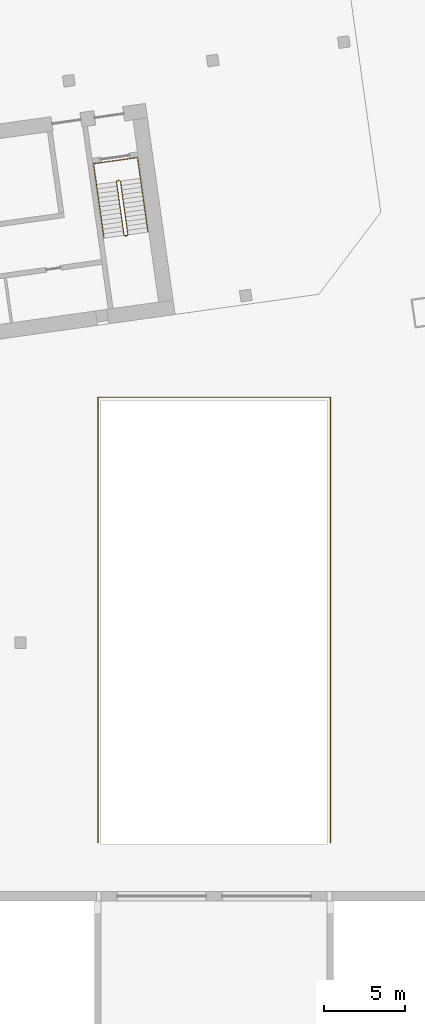
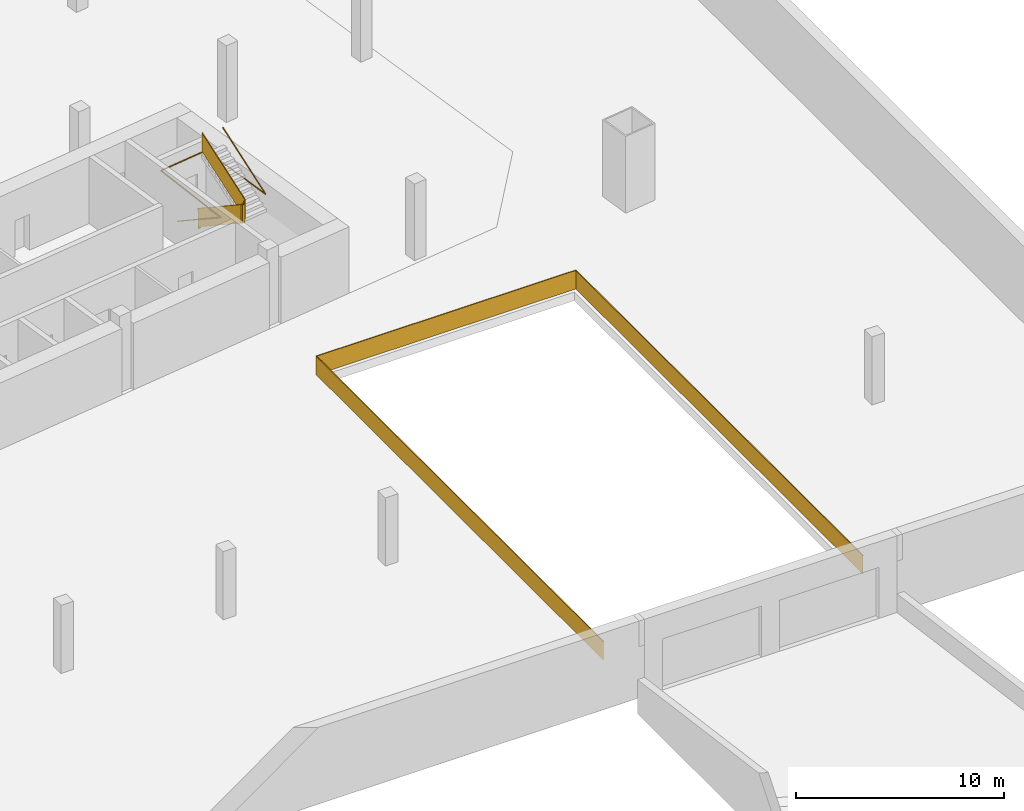
# One storey, part 17 of 17: 3 railings.
"""IFC4 building model written with IfcOpenShell, lengths in metres."""

from ifc_helpers import new_model, si_unit, direction, frame, origin, origin_2d, place, context, subcontext, project, spatial, rectangle, extrude, material, type_object, element, save


model = new_model("IFC4")

# Units and contexts
model_context = context("Model", 3, precision=1e-05, world=origin(), true_north=direction((0.0, 1.0)))
body_context = subcontext(model_context, "Body", "Model", "MODEL_VIEW")
ifc_project = project(units=[si_unit("LENGTHUNIT", "METRE"), si_unit("AREAUNIT", "SQUARE_METRE"), si_unit("VOLUMEUNIT", "CUBIC_METRE"), si_unit("PLANEANGLEUNIT", "RADIAN"), si_unit("MASSUNIT", "GRAM", prefix="KILO")], contexts=[model_context])

# Site, building, storey
site_placement = place(None, origin())
site = spatial("IfcSite", under=ifc_project, at=site_placement, CompositionType="ELEMENT")
building_placement = place(site_placement, origin())
building = spatial("IfcBuilding", under=site, at=building_placement, Name="Mirante Cascada Hotel Towers", CompositionType="ELEMENT")
storey_placement = place(building_placement, frame((0.0, 0.0, -4.5)))
storey = spatial("IfcBuildingStorey", under=building, at=storey_placement, Name="B1", CompositionType="ELEMENT", Elevation=-4.5)

# Railings
ifc_material_1 = material(Name="Painted steel", Category="steel")
railing_type_1 = type_object("IfcRailingType", Name="Ramp opening guard 1100 steel balustrade", PredefinedType="GUARDRAIL", material=ifc_material_1)
railing_1_placement = place(storey_placement, frame((85.8, -45.4, 0.0)))
element("IfcRailing", 1, at=railing_1_placement, inside=storey, type_object=railing_type_1, Name="Ramp opening guard B1", PredefinedType="GUARDRAIL", context=body_context, shape_type="SweptSolid", body=[
    extrude(rectangle(XDim=0.048, YDim=0.048, at=origin_2d()), frame((0.0, 0.0, 1.076), z_axis=(0.0, 1.0, 0.0), x_axis=(-1.0, 0.0, 0.0)), (0.0, 0.0, 1.0), 27.6),
    extrude(rectangle(XDim=0.02, YDim=1.052, at=origin_2d()), frame((0.0, 0.0, 0.526), z_axis=(0.0, 1.0, 0.0), x_axis=(-1.0, 0.0, 0.0)), (0.0, 0.0, 1.0), 27.6),
    extrude(rectangle(XDim=0.048, YDim=0.048, at=origin_2d()), frame((0.0, 27.6, 1.076), z_axis=(1.0, 0.0, 0.0), x_axis=(0.0, 1.0, 0.0)), (0.0, 0.0, 1.0), 14.4),
    extrude(rectangle(XDim=0.02, YDim=1.052, at=origin_2d()), frame((0.0, 27.6, 0.526), z_axis=(1.0, 0.0, 0.0), x_axis=(0.0, 1.0, 0.0)), (0.0, 0.0, 1.0), 14.4),
    extrude(rectangle(XDim=0.048, YDim=0.048, at=origin_2d()), frame((14.4, 27.6, 1.076), z_axis=(0.0, -1.0, 0.0), x_axis=(1.0, 0.0, 0.0)), (0.0, 0.0, 1.0), 27.6),
    extrude(rectangle(XDim=0.02, YDim=1.052, at=origin_2d()), frame((14.4, 27.6, 0.526), z_axis=(0.0, -1.0, 0.0), x_axis=(1.0, 0.0, 0.0)), (0.0, 0.0, 1.0), 27.6),
])
ifc_material_2 = material(Name="Painted steel", Category="steel")
railing_type_2 = type_object("IfcRailingType", Name="Stair guard 1100 steel balustrade", PredefinedType="GUARDRAIL", material=ifc_material_2)
railing_2_placement = place(storey_placement, frame((87.1361, -4.3713, 0.0)))
element("IfcRailing", 2, at=railing_2_placement, inside=storey, type_object=railing_type_2, Name="B1 ST2-C stair guard 1", PredefinedType="GUARDRAIL", context=body_context, shape_type="SweptSolid", body=[
    extrude(rectangle(XDim=0.048, YDim=0.048, at=origin_2d()), frame((0.0, 0.0, 1.076), z_axis=(-0.9902537, -0.1392753, 0.0), x_axis=(0.1392753, -0.9902537, 0.0)), (0.0, 0.0, 1.0), 0.1501),
    extrude(rectangle(XDim=0.02, YDim=1.052, at=origin_2d()), frame((0.0, 0.0, 0.526), z_axis=(-0.9902537, -0.1392753, 0.0), x_axis=(0.1392753, -0.9902537, 0.0)), (0.0, 0.0, 1.0), 0.1501),
    extrude(rectangle(XDim=0.048, YDim=0.048, at=origin_2d()), frame((-0.1486, -0.0209, 1.076), z_axis=(-0.601811, -0.7986386, 0.0), x_axis=(0.7986386, -0.601811, 0.0)), (0.0, 0.9259092, 0.3777462), 0.187),
    extrude(rectangle(XDim=0.02, YDim=1.052, at=origin_2d()), frame((-0.1486, -0.0209, 0.526), z_axis=(-0.601811, -0.7986386, 0.0), x_axis=(0.7986386, -0.601811, 0.0)), (0.0, 0.9259092, 0.3777462), 0.187),
    extrude(rectangle(XDim=0.048, YDim=0.048, at=origin_2d()), frame((-0.1911, -0.0773, 1.2491), z_axis=(0.1391668, -0.990269, 0.0), x_axis=(0.990269, 0.1391668, 0.0)), (0.0, 0.5257875, 0.8506159), 3.9501),
    extrude(rectangle(XDim=0.02, YDim=1.052, at=origin_2d()), frame((-0.1911, -0.0773, 0.6991), z_axis=(0.1391668, -0.990269, 0.0), x_axis=(0.990269, 0.1391668, 0.0)), (0.0, 0.5257875, 0.8506159), 3.9501),
    extrude(rectangle(XDim=0.048, YDim=0.048, at=origin_2d()), frame((0.2765, -3.4046, 3.326), z_axis=(0.9944441, -0.1052656, 0.0), x_axis=(0.1052656, 0.9944441, 0.0)), (0.0, 0.0, 1.0), 0.2061),
    extrude(rectangle(XDim=0.02, YDim=1.052, at=origin_2d()), frame((0.2765, -3.4046, 2.776), z_axis=(0.9944441, -0.1052656, 0.0), x_axis=(0.1052656, 0.9944441, 0.0)), (0.0, 0.0, 1.0), 0.2061),
    extrude(rectangle(XDim=0.048, YDim=0.048, at=origin_2d()), frame((0.4815, -3.4263, 3.326), z_axis=(-0.9902408, -0.1393672, 0.0), x_axis=(0.1393672, -0.9902408, 0.0)), (0.0, 0.0, 1.0), 0.15),
    extrude(rectangle(XDim=0.02, YDim=1.052, at=origin_2d()), frame((0.4815, -3.4263, 2.776), z_axis=(-0.9902408, -0.1393672, 0.0), x_axis=(0.1393672, -0.9902408, 0.0)), (0.0, 0.0, 1.0), 0.15),
    extrude(rectangle(XDim=0.048, YDim=0.048, at=origin_2d()), frame((0.333, -3.4472, 3.326), z_axis=(0.9268624, 0.3754011, 0.0), x_axis=(-0.3754011, 0.9268624, 0.0)), (0.0, 0.6429944, 0.7658709), 0.2692),
    extrude(rectangle(XDim=0.02, YDim=1.052, at=origin_2d()), frame((0.333, -3.4472, 2.776), z_axis=(0.9268624, 0.3754011, 0.0), x_axis=(-0.3754011, 0.9268624, 0.0)), (0.0, 0.6429944, 0.7658709), 0.2692),
    extrude(rectangle(XDim=0.048, YDim=0.048, at=origin_2d()), frame((0.5241, -3.3698, 3.4991), z_axis=(-0.139196, 0.9902648, 0.0), x_axis=(-0.9902648, -0.139196, 0.0)), (0.0, 0.525786, 0.8506169), 3.9501),
    extrude(rectangle(XDim=0.02, YDim=1.052, at=origin_2d()), frame((0.5241, -3.3698, 2.9491), z_axis=(-0.139196, 0.9902648, 0.0), x_axis=(-0.9902648, -0.139196, 0.0)), (0.0, 0.525786, 0.8506169), 3.9501),
])
ifc_material_3 = material(Name="Painted steel", Category="steel")
railing_type_3 = type_object("IfcRailingType", Name="Stair handrail 900 steel tube", PredefinedType="HANDRAIL", material=ifc_material_3)
railing_3_placement = place(storey_placement, frame((85.7071, -4.6226, 0.1731)))
element("IfcRailing", 3, at=railing_3_placement, inside=storey, type_object=railing_type_3, Name="B1 ST2-C stair handrail 1", PredefinedType="HANDRAIL", context=body_context, shape_type="SweptSolid", body=[
    extrude(rectangle(XDim=0.048, YDim=0.048, at=origin_2d()), frame((0.0, 0.0, 0.876), z_axis=(0.139196, -0.9902648, 0.0), x_axis=(0.9902648, 0.139196, 0.0)), (0.0, 0.525786, 0.8506169), 3.9501),
    extrude(rectangle(XDim=0.048, YDim=0.048, at=origin_2d()), frame((0.4677, -3.3273, 2.9529), z_axis=(-0.1391828, 0.9902667, 0.0), x_axis=(-0.9902667, -0.1391828, 0.0)), (0.0, 0.0371199, 0.9993108), 4.6633),
    extrude(rectangle(XDim=0.048, YDim=0.048, at=origin_2d()), frame((-0.1809, 1.2874, 3.126), z_axis=(0.9902691, 0.1391657, 0.0), x_axis=(-0.1391657, 0.9902691, 0.0)), (0.0, 0.0, 1.0), 2.75),
    extrude(rectangle(XDim=0.048, YDim=0.048, at=origin_2d()), frame((2.5423, 1.6701, 3.126), z_axis=(0.1391828, -0.9902667, 0.0), x_axis=(0.9902667, 0.1391828, 0.0)), (0.0, 0.0, 1.0), 4.6601),
    extrude(rectangle(XDim=0.048, YDim=0.048, at=origin_2d()), frame((3.1909, -2.9446, 3.126), z_axis=(-0.1391668, 0.990269, 0.0), x_axis=(-0.990269, -0.1391668, 0.0)), (0.0, 0.5257875, 0.8506159), 3.9501),
])

save(model, "model.ifc")
